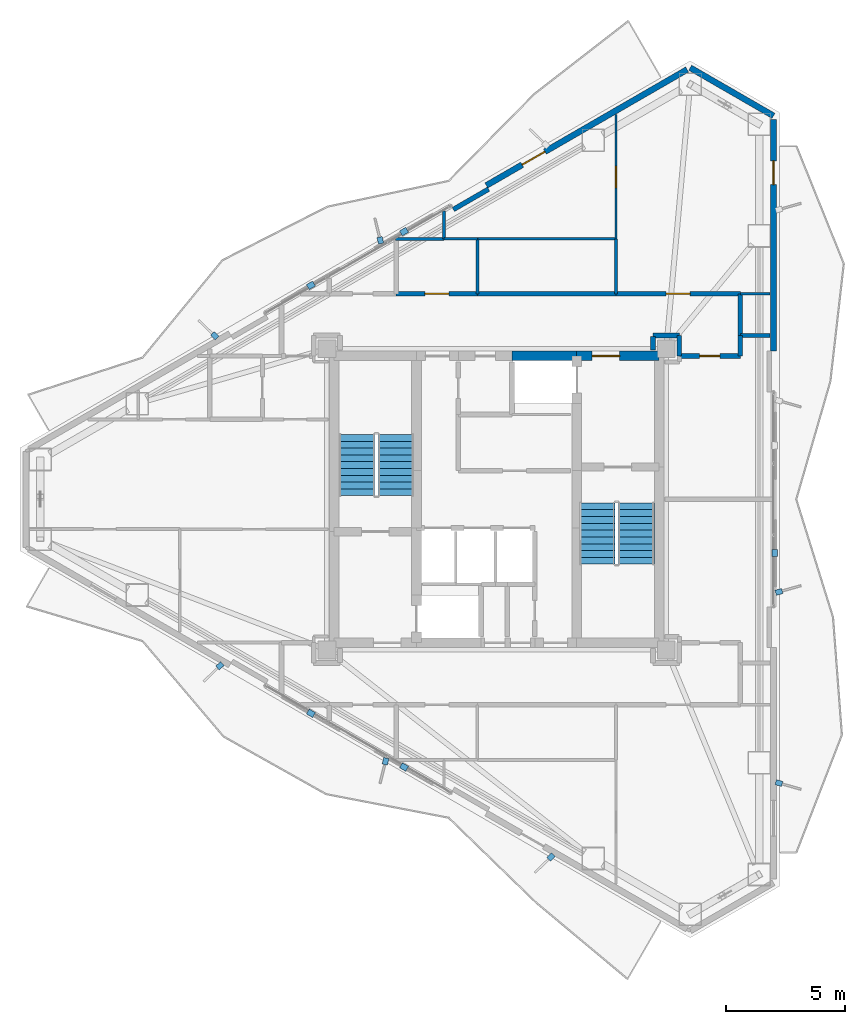
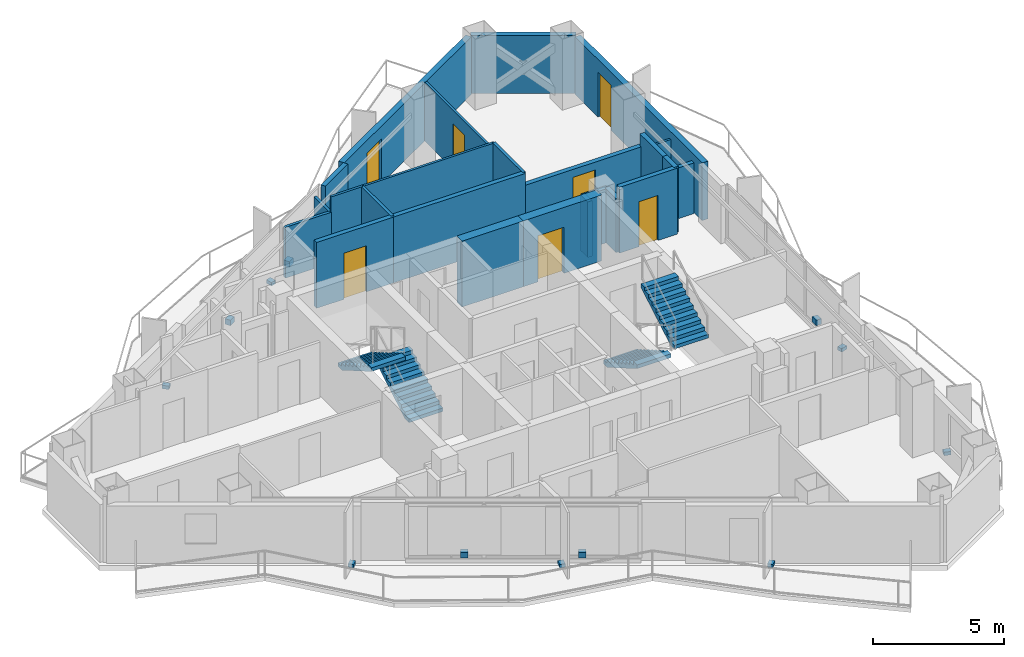
# One storey, part 19 of 22: 24 walls, 12 discrete accessories, 7 doors, 4 stair flights, 7 openings, 2 elements without a shape of their own.
"""IFC4 building model written with IfcOpenShell, lengths in metres."""

from ifc_helpers import new_model, si_unit, direction, frame, frame_2d, origin, origin_2d, place, context, subcontext, project, spatial, polyline, rectangle, outline, extrude, material, layer, layer_set, type_object, element, fill, aggregate, save


model = new_model("IFC4")

# Units and contexts
model_context = context("Model", 3, precision=1e-05, world=origin(), true_north=direction((0.0, 1.0)))
body_context = subcontext(model_context, "Body", "Model", "MODEL_VIEW")
ifc_project = project(units=[si_unit("LENGTHUNIT", "METRE"), si_unit("AREAUNIT", "SQUARE_METRE"), si_unit("VOLUMEUNIT", "CUBIC_METRE"), si_unit("PLANEANGLEUNIT", "RADIAN"), si_unit("MASSUNIT", "GRAM", prefix="KILO")], contexts=[model_context])

# Site, building, storey
site_placement = place(None, origin())
site = spatial("IfcSite", under=ifc_project, at=site_placement, CompositionType="ELEMENT")
building_placement = place(site_placement, origin())
building = spatial("IfcBuilding", under=site, at=building_placement, Name="Mersakhor Tower and Convention Hall", CompositionType="ELEMENT")
storey_placement = place(building_placement, frame((0.0, 0.0, 188.699951171875)))
storey = spatial("IfcBuildingStorey", under=building, at=storey_placement, Name="L52", CompositionType="ELEMENT", Elevation=188.699951171875)

# Wall
ifc_material_1 = material(Name="Precast concrete C40/50", Category="concrete")
ifc_layer_1 = layer(ifc_material_1, 0.25)
ifc_layer_set_1 = layer_set([ifc_layer_1], Name="Precast concrete C40/50")
wall_type_1 = type_object("IfcWallType", Name="WL-EXT-250", PredefinedType="SOLIDWALL", material=ifc_layer_set_1)
wall_1_placement = place(storey_placement, frame((37.10400390625, 44.81005859375, 0.0), z_axis=(0.0, 0.0, 1.0), x_axis=(0.866023907196, -0.500002592159, 0.0)))
element("IfcWall", 1, at=wall_1_placement, inside=storey, type_object=wall_type_1, Name="L52 Chamfer Braced Spandrel Wall C1", PredefinedType="SOLIDWALL", context=body_context, shape_type="SweptSolid", body=[
    extrude(rectangle(XDim=4.0234375, YDim=0.25, at=frame_2d((2.01171875, 0.0))), origin(), (0.0, 0.0, 1.0), 2.68994140625),
])

# Wall, opening, door
wall_2_placement = place(storey_placement, frame((28.57470703125, 39.885498046875, 0.0), z_axis=(0.0, 0.0, 1.0), x_axis=(0.866016233231, 0.500015883528, 0.0)))
wall_2 = element("IfcWall", 2, at=wall_2_placement, inside=storey, type_object=wall_type_1, Name="L52 Exterior Facade Wall F1-B3", PredefinedType="SOLIDWALL", context=body_context, shape_type="SweptSolid", body=[
    extrude(rectangle(XDim=9.698974609375, YDim=0.25, at=frame_2d((4.849609375, 0.0))), origin(), (0.0, 0.0, 1.0), 2.68994140625),
])
opening_1_placement = place(wall_2_placement, frame((1.72998046875, 0.0, 0.0)))
opening_1 = element("IfcOpeningElement", 3, at=opening_1_placement, cuts=wall_2, Name="Opening BD-02", PredefinedType="OPENING", context=body_context, shape_type="SweptSolid", body=[
    extrude(rectangle(XDim=1.10009765625, YDim=2.10009765625, at=frame_2d((0.550048828125, 1.050048828125))), frame((0.0, 0.135009765625, 0.0), z_axis=(0.0, -1.0, 0.0), x_axis=(1.0, 0.0, 0.0)), (0.0, 0.0, 1.0), 0.27001953125),
])
ifc_material_2 = material(Name="Thermally broken dark aluminium and safety glass", Category="aluminium")
door_type_1 = type_object("IfcDoorType", Name="DR-BAL-110x210", OperationType="NOTDEFINED", PredefinedType="DOOR", material=ifc_material_2)
door_1_placement = place(opening_1_placement, origin())
door_1 = element("IfcDoor", 4, at=door_1_placement, inside=storey, type_object=door_type_1, Name="L52 Balcony Terrace Door F1-B3", OperationType="SINGLE_SWING_RIGHT", OverallHeight=2.10009765625, OverallWidth=1.10009765625, PredefinedType="DOOR", context=body_context, shape_type="SweptSolid", body=[
    extrude(rectangle(XDim=1.10009765625, YDim=2.10009765625, at=frame_2d((0.550048828125, 1.050048828125))), frame((0.0, 0.02490234375, 0.0), z_axis=(0.0, -1.0, 0.0), x_axis=(1.0, 0.0, 0.0)), (0.0, 0.0, 1.0), 0.050048828125),
])
fill(opening_1, door_1)

wall_3_placement = place(storey_placement, frame((40.58837890625, 42.6484375, 0.0), z_axis=(0.0, 0.0, 1.0), x_axis=(0.0, -1.0, 0.0)))
wall_3 = element("IfcWall", 5, at=wall_3_placement, inside=storey, type_object=wall_type_1, Name="L52 Exterior Facade Wall F2-B1", PredefinedType="SOLIDWALL", context=body_context, shape_type="SweptSolid", body=[
    extrude(rectangle(XDim=9.698974609375, YDim=0.25, at=frame_2d((4.849609375, 0.0))), origin(), (0.0, 0.0, 1.0), 2.68994140625),
])
opening_2_placement = place(wall_3_placement, frame((1.72998046875, 0.0, 0.0)))
opening_2 = element("IfcOpeningElement", 6, at=opening_2_placement, cuts=wall_3, Name="Opening BD-01", PredefinedType="OPENING", context=body_context, shape_type="SweptSolid", body=[
    extrude(rectangle(XDim=1.0, YDim=2.10009765625, at=frame_2d((0.5, 1.050048828125))), frame((0.0, 0.135009765625, 0.0), z_axis=(0.0, -1.0, 0.0), x_axis=(1.0, 0.0, 0.0)), (0.0, 0.0, 1.0), 0.27001953125),
])
ifc_material_3 = material(Name="Thermally broken dark aluminium and safety glass", Category="aluminium")
door_type_2 = type_object("IfcDoorType", Name="DR-BAL-100x210", OperationType="NOTDEFINED", PredefinedType="DOOR", material=ifc_material_3)
door_2_placement = place(opening_2_placement, origin())
door_2 = element("IfcDoor", 7, at=door_2_placement, inside=storey, type_object=door_type_2, Name="L52 Balcony Terrace Door F2-B1", OperationType="SINGLE_SWING_LEFT", OverallHeight=2.10009765625, OverallWidth=1.0, PredefinedType="DOOR", context=body_context, shape_type="SweptSolid", body=[
    extrude(rectangle(XDim=1.0, YDim=2.10009765625, at=frame_2d((0.5, 1.050048828125))), frame((0.0, 0.02490234375, 0.0), z_axis=(0.0, -1.0, 0.0), x_axis=(1.0, 0.0, 0.0)), (0.0, 0.0, 1.0), 0.050048828125),
])
fill(opening_2, door_2)

# Walls
ifc_material_4 = material(Name="Precast concrete C40/50", Category="concrete")
ifc_layer_2 = layer(ifc_material_4, 0.199951171875)
ifc_layer_set_2 = layer_set([ifc_layer_2], Name="Precast concrete C40/50")
wall_type_2 = type_object("IfcWallType", Name="WL-PAR-200", PredefinedType="PARAPET", material=ifc_layer_set_2)
wall_4_placement = place(storey_placement, frame((27.1923828125, 38.879638671875, 0.0), z_axis=(0.0, 0.0, 1.0), x_axis=(0.866025371046, 0.500000056704, 0.0)))
element("IfcWall", 8, at=wall_4_placement, inside=storey, type_object=wall_type_2, Name="L52 Column Pier Cladding Wall F1-C2", PredefinedType="PARAPET", context=body_context, shape_type="SweptSolid", body=[
    extrude(rectangle(XDim=1.7001953125, YDim=0.199951171875, at=frame_2d((0.85009765625, 0.0))), origin(), (0.0, 0.0, 1.0), 2.68994140625),
])
ifc_material_5 = material(Name="Moisture-resistant acoustic drywall studwork", Category="other")
ifc_layer_3 = layer(ifc_material_5, 0.175048828125)
ifc_layer_set_3 = layer_set([ifc_layer_3], Name="Moisture-resistant acoustic drywall studwork")
wall_type_3 = type_object("IfcWallType", Name="WL-PLM-175", PredefinedType="PLUMBINGWALL", material=ifc_layer_set_3)
wall_5_placement = place(storey_placement, frame((39.199951171875, 33.60009765625, 0.0), z_axis=(0.0, 0.0, 1.0), x_axis=(1.0, 0.0, 0.0)))
element("IfcWall", 9, at=wall_5_placement, inside=storey, type_object=wall_type_3, Name="L52 Interior Partition Wall P-055", PredefinedType="PLUMBINGWALL", context=body_context, shape_type="SweptSolid", body=[
    extrude(rectangle(XDim=1.239501953125, YDim=0.175048828125, at=frame_2d((0.61962890625, 0.0))), origin(), (0.0, 0.0, 1.0), 2.364990234375),
])
ifc_material_6 = material(Name="Lightweight gypsum partition", Category="other")
ifc_layer_4 = layer(ifc_material_6, 0.10009765625)
ifc_layer_set_4 = layer_set([ifc_layer_4], Name="Lightweight gypsum partition")
wall_type_4 = type_object("IfcWallType", Name="WL-PRT-100", PredefinedType="PARTITIONING", material=ifc_layer_set_4)
wall_6_placement = place(storey_placement, frame((40.439453125, 35.35009765625, 0.0), z_axis=(0.0, 0.0, 1.0), x_axis=(-1.0, 0.0, 0.0)))
element("IfcWall", 10, at=wall_6_placement, inside=storey, type_object=wall_type_4, Name="L52 Interior Partition Wall P-068", PredefinedType="PARTITIONING", context=body_context, shape_type="SweptSolid", body=[
    extrude(rectangle(XDim=1.239501953125, YDim=0.10009765625, at=frame_2d((0.61962890625, 0.0))), origin(), (0.0, 0.0, 1.0), 2.364990234375),
])

# Wall, opening, door
wall_7_placement = place(storey_placement, frame((34.0, 37.64990234375, 0.0), z_axis=(0.0, 0.0, 1.0), x_axis=(0.0, 1.0, 0.0)))
wall_7 = element("IfcWall", 11, at=wall_7_placement, inside=storey, type_object=wall_type_4, Name="L52 Interior Partition Wall P-070", PredefinedType="PARTITIONING", context=body_context, shape_type="SweptSolid", body=[
    extrude(rectangle(XDim=5.19580078125, YDim=0.10009765625, at=frame_2d((2.597900390625, 0.0))), origin(), (0.0, 0.0, 1.0), 2.734619140625),
])
opening_3_placement = place(wall_7_placement, frame((2.14794921875, 0.0, 0.0)))
opening_3 = element("IfcOpeningElement", 12, at=opening_3_placement, cuts=wall_7, Name="Opening WD-01", PredefinedType="OPENING", context=body_context, shape_type="SweptSolid", body=[
    extrude(rectangle(XDim=0.89990234375, YDim=2.10009765625, at=frame_2d((0.449951171875, 1.050048828125))), frame((0.0, 0.06005859375, 0.0), z_axis=(0.0, -1.0, 0.0), x_axis=(1.0, 0.0, 0.0)), (0.0, 0.0, 1.0), 0.1201171875),
])
ifc_material_7 = material(Name="Solid-core hardwood leaf in painted steel frame", Category="steel")
door_type_3 = type_object("IfcDoorType", Name="DR-INT-WET-090x210", OperationType="NOTDEFINED", PredefinedType="DOOR", material=ifc_material_7)
door_3_placement = place(opening_3_placement, origin())
door_3 = element("IfcDoor", 13, at=door_3_placement, inside=storey, type_object=door_type_3, Name="L52 L52 North-East Quiet Focus Room to L52 Floor Residents Study Room 1-3 Door", OperationType="SINGLE_SWING_RIGHT", OverallHeight=2.10009765625, OverallWidth=0.89990234375, PredefinedType="DOOR", context=body_context, shape_type="SweptSolid", body=[
    extrude(rectangle(XDim=0.89990234375, YDim=2.10009765625, at=frame_2d((0.449951171875, 1.050048828125))), frame((0.0, 0.02490234375, 0.0), z_axis=(0.0, -1.0, 0.0), x_axis=(1.0, 0.0, 0.0)), (0.0, 0.0, 1.0), 0.050048828125),
])
fill(opening_3, door_3)

# Walls
wall_8_placement = place(storey_placement, frame((26.800048828125, 37.64990234375, 0.0), z_axis=(0.0, 0.0, 1.0), x_axis=(1.0, 0.0, 0.0)))
element("IfcWall", 14, at=wall_8_placement, inside=storey, type_object=wall_type_4, Name="L52 Interior Partition Wall P-078", PredefinedType="PARTITIONING", context=body_context, shape_type="SweptSolid", body=[
    extrude(rectangle(XDim=1.39990234375, YDim=0.10009765625, at=frame_2d((0.699951171875, 0.0))), origin(), (0.0, 0.0, 1.0), 3.070068359375),
])
wall_9_placement = place(storey_placement, frame((34.0, 37.64990234375, 0.0), z_axis=(0.0, 0.0, 1.0), x_axis=(-1.0, 0.0, 0.0)))
element("IfcWall", 15, at=wall_9_placement, inside=storey, type_object=wall_type_4, Name="L52 Interior Partition Wall P-080", PredefinedType="PARTITIONING", context=body_context, shape_type="SweptSolid", body=[
    extrude(rectangle(XDim=5.800048828125, YDim=0.10009765625, at=frame_2d((2.89990234375, 0.0))), origin(), (0.0, 0.0, 1.0), 3.070068359375),
])
ifc_material_8 = material(Name="Gypsum board acoustic partition", Category="other")
ifc_layer_5 = layer(ifc_material_8, 0.125)
ifc_layer_set_5 = layer_set([ifc_layer_5], Name="Gypsum board acoustic partition")
wall_type_5 = type_object("IfcWallType", Name="WL-PRT-125", PredefinedType="PARTITIONING", material=ifc_layer_set_5)
wall_10_placement = place(storey_placement, frame((34.0, 35.35009765625, 0.0), z_axis=(0.0, 0.0, 1.0), x_axis=(0.0, 1.0, 0.0)))
element("IfcWall", 16, at=wall_10_placement, inside=storey, type_object=wall_type_5, Name="L52 Interior Partition Wall P-069", PredefinedType="PARTITIONING", context=body_context, shape_type="SweptSolid", body=[
    extrude(rectangle(XDim=2.2998046875, YDim=0.125, at=frame_2d((1.14990234375, 0.0))), origin(), (0.0, 0.0, 1.0), 3.070068359375),
])
wall_11_placement = place(storey_placement, frame((24.771484375, 37.64990234375, 0.0), z_axis=(0.0, 0.0, 1.0), x_axis=(1.0, 0.0, 0.0)))
element("IfcWall", 17, at=wall_11_placement, inside=storey, type_object=wall_type_5, Name="L52 Interior Partition Wall P-077", PredefinedType="PARTITIONING", context=body_context, shape_type="SweptSolid", body=[
    extrude(rectangle(XDim=2.028564453125, YDim=0.125, at=frame_2d((1.01416015625, 0.0))), origin(), (0.0, 0.0, 1.0), 2.364990234375),
])
wall_12_placement = place(storey_placement, frame((28.199951171875, 37.64990234375, 0.0), z_axis=(0.0, 0.0, 1.0), x_axis=(0.0, -1.0, 0.0)))
element("IfcWall", 18, at=wall_12_placement, inside=storey, type_object=wall_type_5, Name="L52 Interior Partition Wall P-079", PredefinedType="PARTITIONING", context=body_context, shape_type="SweptSolid", body=[
    extrude(rectangle(XDim=2.2998046875, YDim=0.125, at=frame_2d((1.14990234375, 0.0))), origin(), (0.0, 0.0, 1.0), 3.070068359375),
])
wall_13_placement = place(storey_placement, frame((26.800048828125, 37.64990234375, 0.0), z_axis=(0.0, 0.0, 1.0), x_axis=(0.0, 1.0, 0.0)))
element("IfcWall", 19, at=wall_13_placement, inside=storey, type_object=wall_type_5, Name="L52 Interior Partition Wall P-081", PredefinedType="PARTITIONING", context=body_context, shape_type="SweptSolid", body=[
    extrude(rectangle(XDim=1.167236328125, YDim=0.125, at=frame_2d((0.58349609375, 0.0))), origin(), (0.0, 0.0, 1.0), 2.364990234375),
])
ifc_material_9 = material(Name="Acoustic concrete blockwork and gypsum board", Category="masonry")
ifc_layer_6 = layer(ifc_material_9, 0.199951171875)
ifc_layer_set_6 = layer_set([ifc_layer_6], Name="Acoustic concrete blockwork and gypsum board")
wall_type_6 = type_object("IfcWallType", Name="WL-PRT-200", PredefinedType="PARTITIONING", material=ifc_layer_set_6)
wall_14_placement = place(storey_placement, frame((39.199951171875, 35.35009765625, 0.0), z_axis=(0.0, 0.0, 1.0), x_axis=(0.0, -1.0, 0.0)))
element("IfcWall", 20, at=wall_14_placement, inside=storey, type_object=wall_type_6, Name="L52 Interior Partition Wall P-016", PredefinedType="PARTITIONING", context=body_context, shape_type="SweptSolid", body=[
    extrude(rectangle(XDim=1.75, YDim=0.199951171875, at=frame_2d((0.875, 0.0))), origin(), (0.0, 0.0, 1.0), 3.070068359375),
])
wall_15_placement = place(storey_placement, frame((39.199951171875, 33.60009765625, 0.0), z_axis=(0.0, 0.0, 1.0), x_axis=(0.0, -1.0, 0.0)))
element("IfcWall", 21, at=wall_15_placement, inside=storey, type_object=wall_type_6, Name="L52 Interior Partition Wall P-017", PredefinedType="PARTITIONING", context=body_context, shape_type="SweptSolid", body=[
    extrude(rectangle(XDim=0.85009765625, YDim=0.199951171875, at=frame_2d((0.425048828125, 0.0))), origin(), (0.0, 0.0, 1.0), 3.070068359375),
])

# Wall, opening, door
wall_16_placement = place(storey_placement, frame((39.199951171875, 32.75, 0.0), z_axis=(0.0, 0.0, 1.0), x_axis=(-1.0, 0.0, 0.0)))
wall_16 = element("IfcWall", 22, at=wall_16_placement, inside=storey, type_object=wall_type_6, Name="L52 Interior Partition Wall P-018", PredefinedType="PARTITIONING", context=body_context, shape_type="SweptSolid", body=[
    extrude(rectangle(XDim=2.550048828125, YDim=0.199951171875, at=frame_2d((1.27490234375, 0.0))), origin(), (0.0, 0.0, 1.0), 3.070068359375),
])
opening_4_placement = place(wall_16_placement, frame((0.85009765625, 0.0, 0.0)))
opening_4 = element("IfcOpeningElement", 23, at=opening_4_placement, cuts=wall_16, Name="Opening SVD-01", PredefinedType="OPENING", context=body_context, shape_type="SweptSolid", body=[
    extrude(rectangle(XDim=0.85009765625, YDim=2.10009765625, at=frame_2d((0.425048828125, 1.050048828125))), frame((0.0, 0.10986328125, 0.0), z_axis=(0.0, -1.0, 0.0), x_axis=(1.0, 0.0, 0.0)), (0.0, 0.0, 1.0), 0.219970703125),
])
ifc_material_10 = material(Name="Fire-rated hardwood leaf and painted steel frame", Category="steel")
door_type_4 = type_object("IfcDoorType", Name="DR-INT-SVC-085x210", OperationType="NOTDEFINED", PredefinedType="DOOR", material=ifc_material_10)
door_4_placement = place(opening_4_placement, origin())
door_4 = element("IfcDoor", 24, at=door_4_placement, inside=storey, type_object=door_type_4, Name="L52 Residential North Gallery Corridor to L52 East Wing Accessible Toilet WC Door", OperationType="SINGLE_SWING_LEFT", OverallHeight=2.10009765625, OverallWidth=0.85009765625, PredefinedType="DOOR", context=body_context, shape_type="SweptSolid", body=[
    extrude(rectangle(XDim=0.85009765625, YDim=2.10009765625, at=frame_2d((0.425048828125, 1.050048828125))), frame((0.0, 0.02490234375, 0.0), z_axis=(0.0, -1.0, 0.0), x_axis=(1.0, 0.0, 0.0)), (0.0, 0.0, 1.0), 0.050048828125),
])
fill(opening_4, door_4)

# Walls
wall_17_placement = place(storey_placement, frame((36.64990234375, 32.75, 0.0), z_axis=(0.0, 0.0, 1.0), x_axis=(0.0, 1.0, 0.0)))
element("IfcWall", 25, at=wall_17_placement, inside=storey, type_object=wall_type_6, Name="L52 Interior Partition Wall P-019", PredefinedType="PARTITIONING", context=body_context, shape_type="SweptSolid", body=[
    extrude(rectangle(XDim=0.85009765625, YDim=0.199951171875, at=frame_2d((0.425048828125, 0.0))), origin(), (0.0, 0.0, 1.0), 2.518310546875),
])
wall_18_placement = place(storey_placement, frame((36.64990234375, 33.60009765625, 0.0), z_axis=(0.0, 0.0, 1.0), x_axis=(-1.0, 0.0, 0.0)))
element("IfcWall", 26, at=wall_18_placement, inside=storey, type_object=wall_type_6, Name="L52 Interior Partition Wall P-020", PredefinedType="PARTITIONING", context=body_context, shape_type="SweptSolid", body=[
    extrude(rectangle(XDim=1.099853515625, YDim=0.199951171875, at=frame_2d((0.5498046875, 0.0))), origin(), (0.0, 0.0, 1.0), 2.518310546875),
])
wall_19_placement = place(storey_placement, frame((35.550048828125, 33.570068359375, 0.0), z_axis=(0.0, 0.0, 1.0), x_axis=(0.0, -1.0, 0.0)))
element("IfcWall", 27, at=wall_19_placement, inside=storey, type_object=wall_type_6, Name="L52 Interior Partition Wall P-021", PredefinedType="PARTITIONING", context=body_context, shape_type="SweptSolid", body=[
    extrude(rectangle(XDim=0.570068359375, YDim=0.199951171875, at=frame_2d((0.28515625, 0.0))), origin(), (0.0, 0.0, 1.0), 2.594970703125),
])

# Wall, opening, door
wall_20_placement = place(storey_placement, frame((24.800048828125, 35.35009765625, 0.0), z_axis=(0.0, 0.0, 1.0), x_axis=(1.0, 0.0, 0.0)))
wall_20 = element("IfcWall", 28, at=wall_20_placement, inside=storey, type_object=wall_type_6, Name="L52 Interior Partition Wall P-029", PredefinedType="PARTITIONING", context=body_context, shape_type="SweptSolid", body=[
    extrude(rectangle(XDim=3.39990234375, YDim=0.199951171875, at=frame_2d((1.699951171875, 0.0))), origin(), (0.0, 0.0, 1.0), 3.070068359375),
])
opening_5_placement = place(wall_20_placement, frame((1.199951171875, 0.0, 0.0)))
opening_5 = element("IfcOpeningElement", 29, at=opening_5_placement, cuts=wall_20, Name="Opening FD-01", PredefinedType="OPENING", context=body_context, shape_type="SweptSolid", body=[
    extrude(rectangle(XDim=1.0, YDim=2.14990234375, at=frame_2d((0.5, 1.074951171875))), frame((0.0, 0.10986328125, 0.0), z_axis=(0.0, -1.0, 0.0), x_axis=(1.0, 0.0, 0.0)), (0.0, 0.0, 1.0), 0.219970703125),
])
ifc_material_11 = material(Name="Fire-rated hardwood leaf and painted steel frame", Category="steel")
door_type_5 = type_object("IfcDoorType", Name="DR-INT-FLT-100x215", OperationType="NOTDEFINED", PredefinedType="DOOR", material=ifc_material_11)
door_5_placement = place(opening_5_placement, origin())
door_5 = element("IfcDoor", 30, at=door_5_placement, inside=storey, type_object=door_type_5, Name="L52 Residential North Gallery Corridor to L52 Floor Shared Tea Pantry 1-2 Door", OperationType="SINGLE_SWING_LEFT", OverallHeight=2.14990234375, OverallWidth=1.0, PredefinedType="DOOR", context=body_context, shape_type="SweptSolid", body=[
    extrude(rectangle(XDim=1.0, YDim=2.14990234375, at=frame_2d((0.5, 1.074951171875))), frame((0.0, 0.02490234375, 0.0), z_axis=(0.0, -1.0, 0.0), x_axis=(1.0, 0.0, 0.0)), (0.0, 0.0, 1.0), 0.050048828125),
])
fill(opening_5, door_5)

# Wall
wall_21_placement = place(storey_placement, frame((28.199951171875, 35.35009765625, 0.0), z_axis=(0.0, 0.0, 1.0), x_axis=(1.0, 0.0, 0.0)))
element("IfcWall", 31, at=wall_21_placement, inside=storey, type_object=wall_type_6, Name="L52 Interior Partition Wall P-030", PredefinedType="PARTITIONING", context=body_context, shape_type="SweptSolid", body=[
    extrude(rectangle(XDim=5.800048828125, YDim=0.199951171875, at=frame_2d((2.89990234375, 0.0))), origin(), (0.0, 0.0, 1.0), 3.070068359375),
])

# Wall, opening, door
wall_22_placement = place(storey_placement, frame((34.0, 35.35009765625, 0.0), z_axis=(0.0, 0.0, 1.0), x_axis=(1.0, 0.0, 0.0)))
wall_22 = element("IfcWall", 32, at=wall_22_placement, inside=storey, type_object=wall_type_6, Name="L52 Interior Partition Wall P-031", PredefinedType="PARTITIONING", context=body_context, shape_type="SweptSolid", body=[
    extrude(rectangle(XDim=5.199951171875, YDim=0.199951171875, at=frame_2d((2.60009765625, 0.0))), origin(), (0.0, 0.0, 1.0), 2.518310546875),
])
opening_6_placement = place(wall_22_placement, frame((2.10009765625, 0.0, 0.0)))
opening_6 = element("IfcOpeningElement", 33, at=opening_6_placement, cuts=wall_22, Name="Opening FD-01", PredefinedType="OPENING", context=body_context, shape_type="SweptSolid", body=[
    extrude(rectangle(XDim=1.0, YDim=2.14990234375, at=frame_2d((0.5, 1.074951171875))), frame((0.0, 0.10986328125, 0.0), z_axis=(0.0, -1.0, 0.0), x_axis=(1.0, 0.0, 0.0)), (0.0, 0.0, 1.0), 0.219970703125),
])
door_6_placement = place(opening_6_placement, origin())
door_6 = element("IfcDoor", 34, at=door_6_placement, inside=storey, type_object=door_type_5, Name="L52 Residential North Gallery Corridor to L52 North-East Quiet Focus Room Door", OperationType="SINGLE_SWING_LEFT", OverallHeight=2.14990234375, OverallWidth=1.0, PredefinedType="DOOR", context=body_context, shape_type="SweptSolid", body=[
    extrude(rectangle(XDim=1.0, YDim=2.14990234375, at=frame_2d((0.5, 1.074951171875))), frame((0.0, 0.02490234375, 0.0), z_axis=(0.0, -1.0, 0.0), x_axis=(1.0, 0.0, 0.0)), (0.0, 0.0, 1.0), 0.050048828125),
])
fill(opening_6, door_6)

# Wall
ifc_material_12 = material(Name="Concrete C60/75", Category="concrete")
ifc_layer_7 = layer(ifc_material_12, 0.39990234375)
ifc_layer_set_7 = layer_set([ifc_layer_7], Name="Concrete C60/75")
wall_type_7 = type_object("IfcWallType", Name="WL-SHR-400", PredefinedType="SHEAR", material=ifc_layer_set_7)
wall_23_placement = place(storey_placement, frame((29.64990234375, 32.75, 0.0), z_axis=(0.0, 0.0, 1.0), x_axis=(1.0, 0.0, 0.0)))
element("IfcWall", 35, at=wall_23_placement, inside=storey, type_object=wall_type_7, Name="L52 Core Wall CW-N3", PredefinedType="SHEAR", context=body_context, shape_type="SweptSolid", body=[
    extrude(rectangle(XDim=2.7001953125, YDim=0.39990234375, at=frame_2d((1.35009765625, 0.0))), origin(), (0.0, 0.0, 1.0), 3.070068359375),
])

# Wall, opening, door
wall_24_placement = place(storey_placement, frame((32.35009765625, 32.75, 0.0), z_axis=(0.0, 0.0, 1.0), x_axis=(1.0, 0.0, 0.0)))
wall_24 = element("IfcWall", 36, at=wall_24_placement, inside=storey, type_object=wall_type_7, Name="L52 Core Wall CW-N4", PredefinedType="SHEAR", context=body_context, shape_type="SweptSolid", body=[
    extrude(rectangle(XDim=3.449951171875, YDim=0.39990234375, at=frame_2d((1.72509765625, 0.0))), origin(), (0.0, 0.0, 1.0), 3.070068359375),
])
opening_7_placement = place(wall_24_placement, frame((0.64990234375, 0.0, 0.0)))
opening_7 = element("IfcOpeningElement", 37, at=opening_7_placement, cuts=wall_24, Name="Opening SD-01", PredefinedType="OPENING", context=body_context, shape_type="SweptSolid", body=[
    extrude(rectangle(XDim=1.14990234375, YDim=2.14990234375, at=frame_2d((0.574951171875, 1.074951171875))), frame((0.0, 0.2099609375, 0.0), z_axis=(0.0, -1.0, 0.0), x_axis=(1.0, 0.0, 0.0)), (0.0, 0.0, 1.0), 0.419921875),
])
ifc_material_13 = material(Name="Fire-rated hardwood leaf and painted steel frame", Category="steel")
door_type_6 = type_object("IfcDoorType", Name="DR-INT-STAIR-115x215", OperationType="NOTDEFINED", PredefinedType="DOOR", material=ifc_material_13)
door_7_placement = place(opening_7_placement, origin())
door_7 = element("IfcDoor", 38, at=door_7_placement, inside=storey, type_object=door_type_6, Name="L52 Firefighting Lobby East Fire Door", OperationType="SINGLE_SWING_RIGHT", OverallHeight=2.14990234375, OverallWidth=1.14990234375, PredefinedType="DOOR", context=body_context, shape_type="SweptSolid", body=[
    extrude(rectangle(XDim=1.14990234375, YDim=2.14990234375, at=frame_2d((0.574951171875, 1.074951171875))), frame((0.0, 0.02490234375, 0.0), z_axis=(0.0, -1.0, 0.0), x_axis=(1.0, 0.0, 0.0)), (0.0, 0.0, 1.0), 0.050048828125),
])
fill(opening_7, door_7)

# Stair, stair flights
ifc_material_14 = material(Name="Concrete C45/55", Category="concrete")
stair_type = type_object("IfcStairType", Name="ST-TWR-20R", PredefinedType="HALF_TURN_STAIR", material=ifc_material_14)
stair_1_placement = place(storey_placement, origin())
stair_1 = element("IfcStair", 39, at=stair_1_placement, inside=storey, type_object=stair_type, Name="L52 Tower Protected Exit Stair ST-1", PredefinedType="HALF_TURN_STAIR")
ifc_material_15 = material(Name="Concrete C45/55", Category="concrete")
stair_flight_type = type_object("IfcStairFlightType", Name="SFL-TWR-20R", PredefinedType="STRAIGHT", material=ifc_material_15)
stair_flight_1_placement = place(storey_placement, frame((24.800048828125, 26.89990234375, 0.0), z_axis=(0.0, 0.0, 1.0), x_axis=(0.0, 1.0, 0.0)))
stair_flight_1 = element("IfcStairFlight", 40, at=stair_flight_1_placement, type_object=stair_flight_type, Name="ST-1 flight 1", NumberOfRisers=10, NumberOfTreads=9, PredefinedType="STRAIGHT", RiserHeight=0.165, TreadLength=0.285, context=body_context, shape_type="SweptSolid", body=[
    extrude(outline(polyline([(0.0, 0.0), (0.0, 0.1650390625), (0.284912109375, 0.1650390625), (0.284912109375, 0.330078125), (0.570068359375, 0.330078125), (0.570068359375, 0.4951171875), (0.85498046875, 0.4951171875), (0.85498046875, 0.659912109375), (1.139892578125, 0.659912109375), (1.139892578125, 0.824951171875), (1.425048828125, 0.824951171875), (1.425048828125, 0.989990234375), (1.7099609375, 0.989990234375), (1.7099609375, 1.155029296875), (1.9951171875, 1.155029296875), (1.9951171875, 1.320068359375), (2.280029296875, 1.320068359375), (2.280029296875, 1.485107421875), (2.56494140625, 1.485107421875), (2.56494140625, 1.64990234375), (2.56494140625, 1.311767578125), (0.299072265625, 0.0), (0.0, 0.0)])), frame((0.0, 0.75, 0.0), z_axis=(0.0, -1.0, 0.0), x_axis=(1.0, 0.0, 0.0)), (0.0, 0.0, 1.0), 1.5),
])
stair_flight_2_placement = place(storey_placement, frame((23.14990234375, 29.465087890625, 1.650146484375), z_axis=(0.0, 0.0, 1.0), x_axis=(0.0, -1.0, 0.0)))
stair_flight_2 = element("IfcStairFlight", 41, at=stair_flight_2_placement, type_object=stair_flight_type, Name="ST-1 flight 2", NumberOfRisers=10, NumberOfTreads=9, PredefinedType="STRAIGHT", RiserHeight=0.165, TreadLength=0.285, context=body_context, shape_type="SweptSolid", body=[
    extrude(outline(polyline([(0.0, 0.0), (0.0, 0.1650390625), (0.284912109375, 0.1650390625), (0.284912109375, 0.330078125), (0.570068359375, 0.330078125), (0.570068359375, 0.4951171875), (0.85498046875, 0.4951171875), (0.85498046875, 0.659912109375), (1.139892578125, 0.659912109375), (1.139892578125, 0.824951171875), (1.425048828125, 0.824951171875), (1.425048828125, 0.989990234375), (1.7099609375, 0.989990234375), (1.7099609375, 1.155029296875), (1.9951171875, 1.155029296875), (1.9951171875, 1.320068359375), (2.280029296875, 1.320068359375), (2.280029296875, 1.485107421875), (2.56494140625, 1.485107421875), (2.56494140625, 1.64990234375), (2.56494140625, 1.311767578125), (0.299072265625, 0.0), (0.0, 0.0)])), frame((0.0, 0.75, 0.0), z_axis=(0.0, -1.0, 0.0), x_axis=(1.0, 0.0, 0.0)), (0.0, 0.0, 1.0), 1.5),
])
aggregate(stair_1, [stair_flight_1, stair_flight_2])

stair_2_placement = place(storey_placement, origin())
stair_2 = element("IfcStair", 42, at=stair_2_placement, inside=storey, type_object=stair_type, Name="L52 Tower Protected Exit Stair ST-2", PredefinedType="HALF_TURN_STAIR")
stair_flight_3_placement = place(storey_placement, frame((33.199951171875, 26.60009765625, 0.0), z_axis=(0.0, 0.0, 1.0), x_axis=(0.0, -1.0, 0.0)))
stair_flight_3 = element("IfcStairFlight", 43, at=stair_flight_3_placement, type_object=stair_flight_type, Name="ST-2 flight 1", NumberOfRisers=10, NumberOfTreads=9, PredefinedType="STRAIGHT", RiserHeight=0.165, TreadLength=0.285, context=body_context, shape_type="SweptSolid", body=[
    extrude(outline(polyline([(0.0, 0.0), (0.0, 0.1650390625), (0.284912109375, 0.1650390625), (0.284912109375, 0.330078125), (0.570068359375, 0.330078125), (0.570068359375, 0.4951171875), (0.85498046875, 0.4951171875), (0.85498046875, 0.659912109375), (1.139892578125, 0.659912109375), (1.139892578125, 0.824951171875), (1.425048828125, 0.824951171875), (1.425048828125, 0.989990234375), (1.7099609375, 0.989990234375), (1.7099609375, 1.155029296875), (1.9951171875, 1.155029296875), (1.9951171875, 1.320068359375), (2.280029296875, 1.320068359375), (2.280029296875, 1.485107421875), (2.56494140625, 1.485107421875), (2.56494140625, 1.64990234375), (2.56494140625, 1.311767578125), (0.299072265625, 0.0), (0.0, 0.0)])), frame((0.0, 0.75, 0.0), z_axis=(0.0, -1.0, 0.0), x_axis=(1.0, 0.0, 0.0)), (0.0, 0.0, 1.0), 1.5),
])
stair_flight_4_placement = place(storey_placement, frame((34.85009765625, 24.034912109375, 1.650146484375), z_axis=(0.0, 0.0, 1.0), x_axis=(0.0, 1.0, 0.0)))
stair_flight_4 = element("IfcStairFlight", 44, at=stair_flight_4_placement, type_object=stair_flight_type, Name="ST-2 flight 2", NumberOfRisers=10, NumberOfTreads=9, PredefinedType="STRAIGHT", RiserHeight=0.165, TreadLength=0.285, context=body_context, shape_type="SweptSolid", body=[
    extrude(outline(polyline([(0.0, 0.0), (0.0, 0.1650390625), (0.284912109375, 0.1650390625), (0.284912109375, 0.330078125), (0.570068359375, 0.330078125), (0.570068359375, 0.4951171875), (0.85498046875, 0.4951171875), (0.85498046875, 0.659912109375), (1.139892578125, 0.659912109375), (1.139892578125, 0.824951171875), (1.425048828125, 0.824951171875), (1.425048828125, 0.989990234375), (1.7099609375, 0.989990234375), (1.7099609375, 1.155029296875), (1.9951171875, 1.155029296875), (1.9951171875, 1.320068359375), (2.280029296875, 1.320068359375), (2.280029296875, 1.485107421875), (2.56494140625, 1.485107421875), (2.56494140625, 1.64990234375), (2.56494140625, 1.311767578125), (0.299072265625, 0.0), (0.0, 0.0)])), frame((0.0, 0.75, 0.0), z_axis=(0.0, -1.0, 0.0), x_axis=(1.0, 0.0, 0.0)), (0.0, 0.0, 1.0), 1.5),
])
aggregate(stair_2, [stair_flight_3, stair_flight_4])

# Discrete accessories
ifc_material_16 = material(Name="Galvanised steel bracket", Category="steel")
ifc_layer_8 = layer(ifc_material_16, 0.02001953125)
ifc_layer_set_8 = layer_set([ifc_layer_8], Name="Galvanised steel bracket")
discrete_accessory_type = type_object("IfcDiscreteAccessoryType", Name="ACC-BRK-STL", PredefinedType="BRACKET", material=ifc_layer_set_8)
for number, where, z_axis, x_axis, name in (
    (45, (21.232421875, 35.704345703125, 0.2900390625), (0.0, 0.0, 1.0), (0.866025403784, 0.5, 0.0), "L52 Solar Screen Outrigger Bracket BRK-1-1"),
    (46, (25.129150390625, 37.9541015625, 0.2900390625), (0.0, 0.0, 1.0), (0.866025403784, 0.5, 0.0), "L52 Solar Screen Outrigger Bracket BRK-1-2"),
):
    element("IfcDiscreteAccessory", number, at=place(storey_placement, frame(where, z_axis=z_axis, x_axis=x_axis)), inside=storey, type_object=discrete_accessory_type, Name=name, PredefinedType="BRACKET", context=body_context, shape_type="SweptSolid", body=[
        extrude(rectangle(XDim=0.300048828125, YDim=0.239990234375, at=origin_2d()), origin(), (0.0, 0.0, 1.0), 0.260009765625),
    ])
for number, where, z_axis, x_axis, name in (
    (47, (17.2080078125, 33.588623046875, -0.02001953125), (0.0, 0.0, 1.0), (-0.719339800339, 0.694658370459, 0.0), "L52 Facade Fin Base Cleat Bracket FBRK-1-1"),
    (48, (24.13623046875, 37.588623046875, -0.02001953125), (0.0, 0.0, 1.0), (-0.2419218956, 0.970295726276, 0.0), "L52 Facade Fin Base Cleat Bracket FBRK-1-2"),
):
    element("IfcDiscreteAccessory", number, at=place(storey_placement, frame(where, z_axis=z_axis, x_axis=x_axis)), inside=storey, type_object=discrete_accessory_type, Name=name, PredefinedType="BRACKET", context=body_context, shape_type="SweptSolid", body=[
        extrude(rectangle(XDim=0.280029296875, YDim=0.219970703125, at=origin_2d()), origin(), (0.0, 0.0, 1.0), 0.159912109375),
    ])
discrete_accessory_placement = place(storey_placement, frame((40.638427734375, 24.500244140625, 0.2900390625), z_axis=(0.0, 0.0, 1.0), x_axis=(0.0, -1.0, 0.0)))
element("IfcDiscreteAccessory", 49, at=discrete_accessory_placement, inside=storey, type_object=discrete_accessory_type, Name="L52 Solar Screen Outrigger Bracket BRK-2-2", PredefinedType="BRACKET", context=body_context, shape_type="SweptSolid", body=[
    extrude(rectangle(XDim=0.300048828125, YDim=0.239990234375, at=origin_2d()), origin(), (0.0, 0.0, 1.0), 0.260009765625),
])
for number, where, z_axis, x_axis, name in (
    (50, (40.818359375, 22.8759765625, -0.02001953125), (0.0, 0.0, 1.0), (0.961261695938, 0.275637355817, 0.0), "L52 Facade Fin Base Cleat Bracket FBRK-2-3"),
    (51, (40.818359375, 14.8759765625, -0.02001953125), (0.0, 0.0, 1.0), (0.961261695938, -0.275637355817, 0.0), "L52 Facade Fin Base Cleat Bracket FBRK-2-4"),
):
    element("IfcDiscreteAccessory", number, at=place(storey_placement, frame(where, z_axis=z_axis, x_axis=x_axis)), inside=storey, type_object=discrete_accessory_type, Name=name, PredefinedType="BRACKET", context=body_context, shape_type="SweptSolid", body=[
        extrude(rectangle(XDim=0.280029296875, YDim=0.219970703125, at=origin_2d()), origin(), (0.0, 0.0, 1.0), 0.159912109375),
    ])
for number, where, z_axis, x_axis, name in (
    (52, (25.129150390625, 15.5458984375, 0.2900390625), (0.0, 0.0, 1.0), (-0.866025403784, 0.5, 0.0), "L52 Solar Screen Outrigger Bracket BRK-3-1"),
    (53, (21.232421875, 17.795654296875, 0.2900390625), (0.0, 0.0, 1.0), (-0.866025403784, 0.5, 0.0), "L52 Solar Screen Outrigger Bracket BRK-3-2"),
):
    element("IfcDiscreteAccessory", number, at=place(storey_placement, frame(where, z_axis=z_axis, x_axis=x_axis)), inside=storey, type_object=discrete_accessory_type, Name=name, PredefinedType="BRACKET", context=body_context, shape_type="SweptSolid", body=[
        extrude(rectangle(XDim=0.300048828125, YDim=0.239990234375, at=origin_2d()), origin(), (0.0, 0.0, 1.0), 0.260009765625),
    ])
for number, where, z_axis, x_axis, name in (
    (54, (31.282958984375, 11.785400390625, -0.02001953125), (0.0, 0.0, 1.0), (-0.719339800339, -0.694658370459, 0.0), "L52 Facade Fin Base Cleat Bracket FBRK-3-1"),
    (55, (24.354736328125, 15.785400390625, -0.02001953125), (0.0, 0.0, 1.0), (-0.2419218956, -0.970295726276, 0.0), "L52 Facade Fin Base Cleat Bracket FBRK-3-2"),
    (56, (17.426513671875, 19.785400390625, -0.02001953125), (0.0, 0.0, 1.0), (-0.719339800339, -0.694658370459, 0.0), "L52 Facade Fin Base Cleat Bracket FBRK-3-3"),
):
    element("IfcDiscreteAccessory", number, at=place(storey_placement, frame(where, z_axis=z_axis, x_axis=x_axis)), inside=storey, type_object=discrete_accessory_type, Name=name, PredefinedType="BRACKET", context=body_context, shape_type="SweptSolid", body=[
        extrude(rectangle(XDim=0.280029296875, YDim=0.219970703125, at=origin_2d()), origin(), (0.0, 0.0, 1.0), 0.159912109375),
    ])

save(model, "model.ifc")
